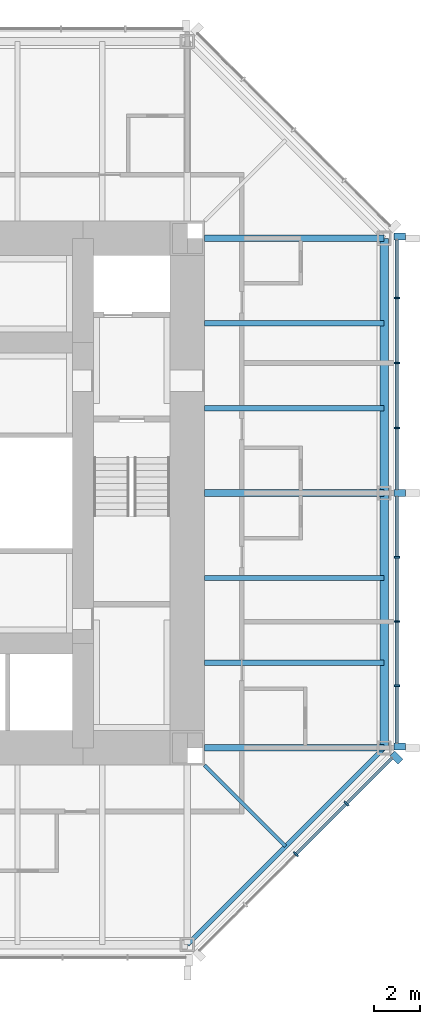
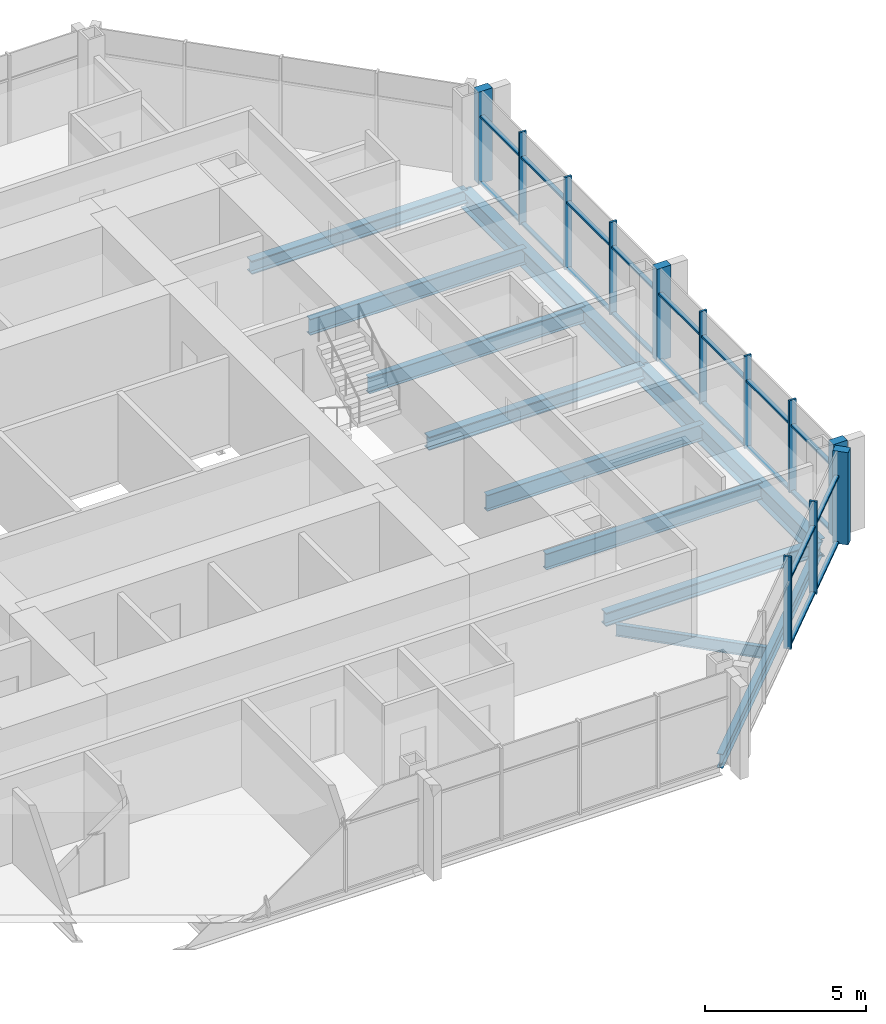
# One storey, part 4 of 11: 32 members, 11 beams, 2 elements without a shape of their own.
"""IFC4 building model written with IfcOpenShell, lengths in metres."""

from ifc_helpers import new_model, si_unit, direction, frame, origin, origin_2d, place, context, subcontext, project, spatial, rectangle, i_section, extrude, material, material_profile, profile_set, type_object, element, aggregate, save


model = new_model("IFC4")

# Units and contexts
model_context = context("Model", 3, precision=1e-05, world=origin(), true_north=direction((0.0, 1.0)))
body_context = subcontext(model_context, "Body", "Model", "MODEL_VIEW")
ifc_project = project(units=[si_unit("LENGTHUNIT", "METRE"), si_unit("AREAUNIT", "SQUARE_METRE"), si_unit("VOLUMEUNIT", "CUBIC_METRE"), si_unit("PLANEANGLEUNIT", "RADIAN"), si_unit("MASSUNIT", "GRAM", prefix="KILO")], contexts=[model_context])

# Site, building, storey
site_placement = place(None, origin())
site = spatial("IfcSite", under=ifc_project, at=site_placement, CompositionType="ELEMENT")
building_placement = place(site_placement, origin())
building = spatial("IfcBuilding", under=site, at=building_placement, Name="Trevanion Tower", CompositionType="ELEMENT")
storey_placement = place(building_placement, frame((0.0, 0.0, 215.199951171875)))
storey = spatial("IfcBuildingStorey", under=building, at=storey_placement, Name="L51", CompositionType="ELEMENT", Elevation=215.199951171875)

# Beams
ifc_material_1 = material(Name="Steel ASTM A992 Grade 50", Category="steel")
ifc_material_profile_1 = material_profile(ifc_material_1, i_section(OverallWidth=0.228271484375, OverallDepth=0.607177734375, WebThickness=0.01123046875, FlangeThickness=0.017333984375, at=origin_2d()), Name="W24X76")
ifc_profile_set_1 = profile_set([ifc_material_profile_1], Name="Steel ASTM A992 Grade 50")
beam_type_1 = type_object("IfcBeamType", Name="B11 W24X76", PredefinedType="BEAM", material=ifc_profile_set_1)
for number, where, z_axis, x_axis, name in (
    (1, (11.75, -7.333251953125, -0.493408203125), (1.0, 0.0, 0.0), (0.0, 1.0, 0.0), "B11 L51"),
    (2, (11.75, -3.666748046875, -0.493408203125), (1.0, 0.0, 0.0), (0.0, 1.0, 0.0), "B11 L51"),
    (3, (11.75, 3.666748046875, -0.493408203125), (1.0, 0.0, 0.0), (0.0, 1.0, 0.0), "B11 L51"),
    (4, (11.75, 7.333251953125, -0.493408203125), (1.0, 0.0, 0.0), (0.0, 1.0, 0.0), "B11 L51"),
):
    element("IfcBeam", number, at=place(storey_placement, frame(where, z_axis=z_axis, x_axis=x_axis)), inside=storey, type_object=beam_type_1, Name=name, PredefinedType="BEAM", context=body_context, shape_type="SweptSolid", body=[
        extrude(i_section(OverallWidth=0.228271484375, OverallDepth=0.607177734375, WebThickness=0.01123046875, FlangeThickness=0.017333984375, at=origin_2d()), origin(), (0.0, 0.0, 1.0), 7.75),
    ])
ifc_material_2 = material(Name="Steel ASTM A992 Grade 50", Category="steel")
ifc_material_profile_2 = material_profile(ifc_material_2, i_section(OverallWidth=0.15234375, OverallDepth=0.449462890625, WebThickness=0.007568359375, FlangeThickness=0.0107421875, at=origin_2d()), Name="W18X35")
ifc_profile_set_2 = profile_set([ifc_material_profile_2], Name="Steel ASTM A992 Grade 50")
beam_type_2 = type_object("IfcBeamType", Name="B12 W18X35", PredefinedType="BEAM", material=ifc_profile_set_2)
beam_1_placement = place(storey_placement, frame((11.75, -11.75, -0.414794921875), z_axis=(0.707106781187, -0.707106781187, 0.0), x_axis=(0.707106781187, 0.707106781187, 0.0)))
element("IfcBeam", 5, at=beam_1_placement, inside=storey, type_object=beam_type_2, Name="B12 L51", PredefinedType="BEAM", context=body_context, shape_type="SweptSolid", body=[
    extrude(i_section(OverallWidth=0.15234375, OverallDepth=0.449462890625, WebThickness=0.007568359375, FlangeThickness=0.0107421875, at=origin_2d()), origin(), (0.0, 0.0, 1.0), 4.94970703125),
])

# Curtain wall, members
ifc_material_3 = material(Name="Aluminium and glass", Category="aluminium")
curtain_wall_type = type_object("IfcCurtainWallType", Name="CW3 curtain wall", PredefinedType="USERDEFINED", material=ifc_material_3)
curtain_wall_1_placement = place(storey_placement, origin())
curtain_wall_1 = element("IfcCurtainWall", 6, at=curtain_wall_1_placement, inside=storey, type_object=curtain_wall_type, Name="CW3 L51 0", ObjectType="UNITISED CURTAIN WALL", PredefinedType="USERDEFINED")
ifc_material_4 = material(Name="Aluminium extrusion, anodised bronze", Category="aluminium")
ifc_material_profile_3 = material_profile(ifc_material_4, rectangle(XDim=0.074951171875, YDim=0.25, at=origin_2d()), Name="CW3 mullion")
ifc_profile_set_3 = profile_set([ifc_material_profile_3], Name="Aluminium extrusion, anodised bronze")
member_type_1 = type_object("IfcMemberType", Name="CW3 mullion", PredefinedType="MULLION", material=ifc_profile_set_3)
member_1_placement = place(storey_placement, frame((20.050048828125, -8.323486328125, -0.18994140625), z_axis=(0.0, 0.0, 1.0), x_axis=(0.0, 1.0, 0.0)))
member_1 = element("IfcMember", 7, at=member_1_placement, type_object=member_type_1, Name="CW3 mullion 2", PredefinedType="MULLION", context=body_context, shape_type="SweptSolid", body=[
    extrude(rectangle(XDim=0.074951171875, YDim=0.25, at=origin_2d()), origin(), (0.0, 0.0, 1.0), 3.5),
])
member_2_placement = place(storey_placement, frame((20.050048828125, -5.548828125, -0.18994140625), z_axis=(0.0, 0.0, 1.0), x_axis=(0.0, 1.0, 0.0)))
member_2 = element("IfcMember", 8, at=member_2_placement, type_object=member_type_1, Name="CW3 mullion 3", PredefinedType="MULLION", context=body_context, shape_type="SweptSolid", body=[
    extrude(rectangle(XDim=0.074951171875, YDim=0.25, at=origin_2d()), origin(), (0.0, 0.0, 1.0), 3.5),
])
member_3_placement = place(storey_placement, frame((20.050048828125, -2.7744140625, -0.18994140625), z_axis=(0.0, 0.0, 1.0), x_axis=(0.0, 1.0, 0.0)))
member_3 = element("IfcMember", 9, at=member_3_placement, type_object=member_type_1, Name="CW3 mullion 4", PredefinedType="MULLION", context=body_context, shape_type="SweptSolid", body=[
    extrude(rectangle(XDim=0.074951171875, YDim=0.25, at=origin_2d()), origin(), (0.0, 0.0, 1.0), 3.5),
])
member_4_placement = place(storey_placement, frame((20.050048828125, 2.806884765625, -0.18994140625), z_axis=(0.0, 0.0, 1.0), x_axis=(0.0, 1.0, 0.0)))
member_4 = element("IfcMember", 10, at=member_4_placement, type_object=member_type_1, Name="CW3 mullion 6", PredefinedType="MULLION", context=body_context, shape_type="SweptSolid", body=[
    extrude(rectangle(XDim=0.074951171875, YDim=0.25, at=origin_2d()), origin(), (0.0, 0.0, 1.0), 3.5),
])
member_5_placement = place(storey_placement, frame((20.050048828125, 5.614013671875, -0.18994140625), z_axis=(0.0, 0.0, 1.0), x_axis=(0.0, 1.0, 0.0)))
member_5 = element("IfcMember", 11, at=member_5_placement, type_object=member_type_1, Name="CW3 mullion 7", PredefinedType="MULLION", context=body_context, shape_type="SweptSolid", body=[
    extrude(rectangle(XDim=0.074951171875, YDim=0.25, at=origin_2d()), origin(), (0.0, 0.0, 1.0), 3.5),
])
member_6_placement = place(storey_placement, frame((20.050048828125, 8.4208984375, -0.18994140625), z_axis=(0.0, 0.0, 1.0), x_axis=(0.0, 1.0, 0.0)))
member_6 = element("IfcMember", 12, at=member_6_placement, type_object=member_type_1, Name="CW3 mullion 8", PredefinedType="MULLION", context=body_context, shape_type="SweptSolid", body=[
    extrude(rectangle(XDim=0.074951171875, YDim=0.25, at=origin_2d()), origin(), (0.0, 0.0, 1.0), 3.5),
])

curtain_wall_2_placement = place(storey_placement, origin())
curtain_wall_2 = element("IfcCurtainWall", 13, at=curtain_wall_2_placement, inside=storey, type_object=curtain_wall_type, Name="CW3 L51 7", ObjectType="UNITISED CURTAIN WALL", PredefinedType="USERDEFINED")
member_7_placement = place(storey_placement, frame((15.684814453125, -15.593017578125, -0.18994140625), z_axis=(0.0, 0.0, 1.0), x_axis=(0.707106781187, 0.707106781187, 0.0)))
member_7 = element("IfcMember", 14, at=member_7_placement, type_object=member_type_1, Name="CW3 mullion 3", PredefinedType="MULLION", context=body_context, shape_type="SweptSolid", body=[
    extrude(rectangle(XDim=0.074951171875, YDim=0.25, at=origin_2d()), origin(), (0.0, 0.0, 1.0), 3.5),
])
member_8_placement = place(storey_placement, frame((17.867431640625, -13.410400390625, -0.18994140625), z_axis=(0.0, 0.0, 1.0), x_axis=(0.707106781187, 0.707106781187, 0.0)))
member_8 = element("IfcMember", 15, at=member_8_placement, type_object=member_type_1, Name="CW3 mullion 4", PredefinedType="MULLION", context=body_context, shape_type="SweptSolid", body=[
    extrude(rectangle(XDim=0.074951171875, YDim=0.25, at=origin_2d()), origin(), (0.0, 0.0, 1.0), 3.5),
])

# Member
ifc_material_5 = material(Name="Aluminium extrusion, anodised bronze", Category="aluminium")
ifc_material_profile_4 = material_profile(ifc_material_5, rectangle(XDim=0.300048828125, YDim=0.5, at=origin_2d()), Name="CW3 pier mullion")
ifc_profile_set_4 = profile_set([ifc_material_profile_4], Name="Aluminium extrusion, anodised bronze")
member_type_2 = type_object("IfcMemberType", Name="CW3 pier mullion", PredefinedType="MULLION", material=ifc_profile_set_4)
member_9_placement = place(storey_placement, frame((20.175048828125, -10.94775390625, -0.18994140625), z_axis=(0.0, 0.0, 1.0), x_axis=(0.0, 1.0, 0.0)))
member_9 = element("IfcMember", 16, at=member_9_placement, type_object=member_type_2, Name="CW3 pier mullion 1", PredefinedType="MULLION", context=body_context, shape_type="SweptSolid", body=[
    extrude(rectangle(XDim=0.300048828125, YDim=0.5, at=origin_2d()), origin(), (0.0, 0.0, 1.0), 3.5),
])

member_10_placement = place(storey_placement, frame((20.175048828125, 0.0, -0.18994140625), z_axis=(0.0, 0.0, 1.0), x_axis=(0.0, 1.0, 0.0)))
member_10 = element("IfcMember", 17, at=member_10_placement, type_object=member_type_2, Name="CW3 pier mullion 5", PredefinedType="MULLION", context=body_context, shape_type="SweptSolid", body=[
    extrude(rectangle(XDim=0.300048828125, YDim=0.5, at=origin_2d()), origin(), (0.0, 0.0, 1.0), 3.5),
])

member_11_placement = place(storey_placement, frame((20.175048828125, 11.077880859375, -0.18994140625), z_axis=(0.0, 0.0, 1.0), x_axis=(0.0, 1.0, 0.0)))
member_11 = element("IfcMember", 18, at=member_11_placement, type_object=member_type_2, Name="CW3 pier mullion 9", PredefinedType="MULLION", context=body_context, shape_type="SweptSolid", body=[
    extrude(rectangle(XDim=0.300048828125, YDim=0.5, at=origin_2d()), origin(), (0.0, 0.0, 1.0), 3.5),
])

member_12_placement = place(storey_placement, frame((20.0322265625, -11.42236328125, -0.18994140625), z_axis=(0.0, 0.0, 1.0), x_axis=(0.707106781187, 0.707106781187, 0.0)))
member_12 = element("IfcMember", 19, at=member_12_placement, type_object=member_type_2, Name="CW3 pier mullion 5", PredefinedType="MULLION", context=body_context, shape_type="SweptSolid", body=[
    extrude(rectangle(XDim=0.300048828125, YDim=0.5, at=origin_2d()), origin(), (0.0, 0.0, 1.0), 3.5),
])

ifc_material_6 = material(Name="Aluminium extrusion, anodised bronze", Category="aluminium")
ifc_material_profile_5 = material_profile(ifc_material_6, rectangle(XDim=0.14990234375, YDim=0.074951171875, at=origin_2d()), Name="CW3 transom")
ifc_profile_set_5 = profile_set([ifc_material_profile_5], Name="Aluminium extrusion, anodised bronze")
member_type_3 = type_object("IfcMemberType", Name="CW3 transom", PredefinedType="USERDEFINED", material=ifc_profile_set_5)
member_13_placement = place(storey_placement, frame((20.050048828125, -10.7978515625, -0.15234375), z_axis=(0.0, 1.0, 0.0), x_axis=(-1.0, 0.0, 0.0)))
member_13 = element("IfcMember", 20, at=member_13_placement, type_object=member_type_3, Name="CW3 transom 1.1", ObjectType="TRANSOM", PredefinedType="USERDEFINED", context=body_context, shape_type="SweptSolid", body=[
    extrude(rectangle(XDim=0.14990234375, YDim=0.074951171875, at=origin_2d()), origin(), (0.0, 0.0, 1.0), 2.43701171875),
])

member_14_placement = place(storey_placement, frame((20.050048828125, -10.7978515625, 2.360107421875), z_axis=(0.0, 1.0, 0.0), x_axis=(-1.0, 0.0, 0.0)))
member_14 = element("IfcMember", 21, at=member_14_placement, type_object=member_type_3, Name="CW3 transom 1.2", ObjectType="TRANSOM", PredefinedType="USERDEFINED", context=body_context, shape_type="SweptSolid", body=[
    extrude(rectangle(XDim=0.14990234375, YDim=0.074951171875, at=origin_2d()), origin(), (0.0, 0.0, 1.0), 2.43701171875),
])

member_15_placement = place(storey_placement, frame((20.050048828125, -8.285888671875, -0.15234375), z_axis=(0.0, 1.0, 0.0), x_axis=(-1.0, 0.0, 0.0)))
member_15 = element("IfcMember", 22, at=member_15_placement, type_object=member_type_3, Name="CW3 transom 2.1", ObjectType="TRANSOM", PredefinedType="USERDEFINED", context=body_context, shape_type="SweptSolid", body=[
    extrude(rectangle(XDim=0.14990234375, YDim=0.074951171875, at=origin_2d()), origin(), (0.0, 0.0, 1.0), 2.699462890625),
])

member_16_placement = place(storey_placement, frame((20.050048828125, -8.285888671875, 2.360107421875), z_axis=(0.0, 1.0, 0.0), x_axis=(-1.0, 0.0, 0.0)))
member_16 = element("IfcMember", 23, at=member_16_placement, type_object=member_type_3, Name="CW3 transom 2.2", ObjectType="TRANSOM", PredefinedType="USERDEFINED", context=body_context, shape_type="SweptSolid", body=[
    extrude(rectangle(XDim=0.14990234375, YDim=0.074951171875, at=origin_2d()), origin(), (0.0, 0.0, 1.0), 2.699462890625),
])

member_17_placement = place(storey_placement, frame((20.050048828125, -5.511474609375, -0.15234375), z_axis=(0.0, 1.0, 0.0), x_axis=(-1.0, 0.0, 0.0)))
member_17 = element("IfcMember", 24, at=member_17_placement, type_object=member_type_3, Name="CW3 transom 3.1", ObjectType="TRANSOM", PredefinedType="USERDEFINED", context=body_context, shape_type="SweptSolid", body=[
    extrude(rectangle(XDim=0.14990234375, YDim=0.074951171875, at=origin_2d()), origin(), (0.0, 0.0, 1.0), 2.699462890625),
])

member_18_placement = place(storey_placement, frame((20.050048828125, -5.511474609375, 2.360107421875), z_axis=(0.0, 1.0, 0.0), x_axis=(-1.0, 0.0, 0.0)))
member_18 = element("IfcMember", 25, at=member_18_placement, type_object=member_type_3, Name="CW3 transom 3.2", ObjectType="TRANSOM", PredefinedType="USERDEFINED", context=body_context, shape_type="SweptSolid", body=[
    extrude(rectangle(XDim=0.14990234375, YDim=0.074951171875, at=origin_2d()), origin(), (0.0, 0.0, 1.0), 2.699462890625),
])

member_19_placement = place(storey_placement, frame((20.050048828125, -2.737060546875, -0.15234375), z_axis=(0.0, 1.0, 0.0), x_axis=(-1.0, 0.0, 0.0)))
member_19 = element("IfcMember", 26, at=member_19_placement, type_object=member_type_3, Name="CW3 transom 4.1", ObjectType="TRANSOM", PredefinedType="USERDEFINED", context=body_context, shape_type="SweptSolid", body=[
    extrude(rectangle(XDim=0.14990234375, YDim=0.074951171875, at=origin_2d()), origin(), (0.0, 0.0, 1.0), 2.587158203125),
])

member_20_placement = place(storey_placement, frame((20.050048828125, -2.737060546875, 2.360107421875), z_axis=(0.0, 1.0, 0.0), x_axis=(-1.0, 0.0, 0.0)))
member_20 = element("IfcMember", 27, at=member_20_placement, type_object=member_type_3, Name="CW3 transom 4.2", ObjectType="TRANSOM", PredefinedType="USERDEFINED", context=body_context, shape_type="SweptSolid", body=[
    extrude(rectangle(XDim=0.14990234375, YDim=0.074951171875, at=origin_2d()), origin(), (0.0, 0.0, 1.0), 2.587158203125),
])

member_21_placement = place(storey_placement, frame((20.050048828125, 0.14990234375, -0.15234375), z_axis=(0.0, 1.0, 0.0), x_axis=(-1.0, 0.0, 0.0)))
member_21 = element("IfcMember", 28, at=member_21_placement, type_object=member_type_3, Name="CW3 transom 5.1", ObjectType="TRANSOM", PredefinedType="USERDEFINED", context=body_context, shape_type="SweptSolid", body=[
    extrude(rectangle(XDim=0.14990234375, YDim=0.074951171875, at=origin_2d()), origin(), (0.0, 0.0, 1.0), 2.619384765625),
])

member_22_placement = place(storey_placement, frame((20.050048828125, 0.14990234375, 2.360107421875), z_axis=(0.0, 1.0, 0.0), x_axis=(-1.0, 0.0, 0.0)))
member_22 = element("IfcMember", 29, at=member_22_placement, type_object=member_type_3, Name="CW3 transom 5.2", ObjectType="TRANSOM", PredefinedType="USERDEFINED", context=body_context, shape_type="SweptSolid", body=[
    extrude(rectangle(XDim=0.14990234375, YDim=0.074951171875, at=origin_2d()), origin(), (0.0, 0.0, 1.0), 2.619384765625),
])

member_23_placement = place(storey_placement, frame((20.050048828125, 2.844482421875, -0.15234375), z_axis=(0.0, 1.0, 0.0), x_axis=(-1.0, 0.0, 0.0)))
member_23 = element("IfcMember", 30, at=member_23_placement, type_object=member_type_3, Name="CW3 transom 6.1", ObjectType="TRANSOM", PredefinedType="USERDEFINED", context=body_context, shape_type="SweptSolid", body=[
    extrude(rectangle(XDim=0.14990234375, YDim=0.074951171875, at=origin_2d()), origin(), (0.0, 0.0, 1.0), 2.73193359375),
])

member_24_placement = place(storey_placement, frame((20.050048828125, 2.844482421875, 2.360107421875), z_axis=(0.0, 1.0, 0.0), x_axis=(-1.0, 0.0, 0.0)))
member_24 = element("IfcMember", 31, at=member_24_placement, type_object=member_type_3, Name="CW3 transom 6.2", ObjectType="TRANSOM", PredefinedType="USERDEFINED", context=body_context, shape_type="SweptSolid", body=[
    extrude(rectangle(XDim=0.14990234375, YDim=0.074951171875, at=origin_2d()), origin(), (0.0, 0.0, 1.0), 2.73193359375),
])

member_25_placement = place(storey_placement, frame((20.050048828125, 5.6513671875, -0.15234375), z_axis=(0.0, 1.0, 0.0), x_axis=(-1.0, 0.0, 0.0)))
member_25 = element("IfcMember", 32, at=member_25_placement, type_object=member_type_3, Name="CW3 transom 7.1", ObjectType="TRANSOM", PredefinedType="USERDEFINED", context=body_context, shape_type="SweptSolid", body=[
    extrude(rectangle(XDim=0.14990234375, YDim=0.074951171875, at=origin_2d()), origin(), (0.0, 0.0, 1.0), 2.73193359375),
])

member_26_placement = place(storey_placement, frame((20.050048828125, 5.6513671875, 2.360107421875), z_axis=(0.0, 1.0, 0.0), x_axis=(-1.0, 0.0, 0.0)))
member_26 = element("IfcMember", 33, at=member_26_placement, type_object=member_type_3, Name="CW3 transom 7.2", ObjectType="TRANSOM", PredefinedType="USERDEFINED", context=body_context, shape_type="SweptSolid", body=[
    extrude(rectangle(XDim=0.14990234375, YDim=0.074951171875, at=origin_2d()), origin(), (0.0, 0.0, 1.0), 2.73193359375),
])

member_27_placement = place(storey_placement, frame((20.050048828125, 8.45849609375, -0.15234375), z_axis=(0.0, 1.0, 0.0), x_axis=(-1.0, 0.0, 0.0)))
member_27 = element("IfcMember", 34, at=member_27_placement, type_object=member_type_3, Name="CW3 transom 8.1", ObjectType="TRANSOM", PredefinedType="USERDEFINED", context=body_context, shape_type="SweptSolid", body=[
    extrude(rectangle(XDim=0.14990234375, YDim=0.074951171875, at=origin_2d()), origin(), (0.0, 0.0, 1.0), 2.46923828125),
])

member_28_placement = place(storey_placement, frame((20.050048828125, 8.45849609375, 2.360107421875), z_axis=(0.0, 1.0, 0.0), x_axis=(-1.0, 0.0, 0.0)))
member_28 = element("IfcMember", 35, at=member_28_placement, type_object=member_type_3, Name="CW3 transom 8.2", ObjectType="TRANSOM", PredefinedType="USERDEFINED", context=body_context, shape_type="SweptSolid", body=[
    extrude(rectangle(XDim=0.14990234375, YDim=0.074951171875, at=origin_2d()), origin(), (0.0, 0.0, 1.0), 2.46923828125),
])

aggregate(curtain_wall_1, [member_9, member_1, member_2, member_3, member_10, member_4, member_5, member_6, member_11, member_13, member_14, member_15, member_16, member_17, member_18, member_19, member_20, member_21, member_22, member_23, member_24, member_25, member_26, member_27, member_28])

member_29_placement = place(storey_placement, frame((15.71142578125, -15.56640625, -0.15234375), z_axis=(0.707106781187, 0.707106781187, 0.0), x_axis=(-0.707106781187, 0.707106781187, 0.0)))
member_29 = element("IfcMember", 36, at=member_29_placement, type_object=member_type_3, Name="CW3 transom 3.1", ObjectType="TRANSOM", PredefinedType="USERDEFINED", context=body_context, shape_type="SweptSolid", body=[
    extrude(rectangle(XDim=0.14990234375, YDim=0.074951171875, at=origin_2d()), origin(), (0.0, 0.0, 1.0), 3.011474609375),
])

member_30_placement = place(storey_placement, frame((15.71142578125, -15.56640625, 2.360107421875), z_axis=(0.707106781187, 0.707106781187, 0.0), x_axis=(-0.707106781187, 0.707106781187, 0.0)))
member_30 = element("IfcMember", 37, at=member_30_placement, type_object=member_type_3, Name="CW3 transom 3.2", ObjectType="TRANSOM", PredefinedType="USERDEFINED", context=body_context, shape_type="SweptSolid", body=[
    extrude(rectangle(XDim=0.14990234375, YDim=0.074951171875, at=origin_2d()), origin(), (0.0, 0.0, 1.0), 3.011474609375),
])

member_31_placement = place(storey_placement, frame((17.89404296875, -13.3837890625, -0.15234375), z_axis=(0.707106781187, 0.707106781187, 0.0), x_axis=(-0.707106781187, 0.707106781187, 0.0)))
member_31 = element("IfcMember", 38, at=member_31_placement, type_object=member_type_3, Name="CW3 transom 4.1", ObjectType="TRANSOM", PredefinedType="USERDEFINED", context=body_context, shape_type="SweptSolid", body=[
    extrude(rectangle(XDim=0.14990234375, YDim=0.074951171875, at=origin_2d()), origin(), (0.0, 0.0, 1.0), 2.7490234375),
])

member_32_placement = place(storey_placement, frame((17.89404296875, -13.3837890625, 2.360107421875), z_axis=(0.707106781187, 0.707106781187, 0.0), x_axis=(-0.707106781187, 0.707106781187, 0.0)))
member_32 = element("IfcMember", 39, at=member_32_placement, type_object=member_type_3, Name="CW3 transom 4.2", ObjectType="TRANSOM", PredefinedType="USERDEFINED", context=body_context, shape_type="SweptSolid", body=[
    extrude(rectangle(XDim=0.14990234375, YDim=0.074951171875, at=origin_2d()), origin(), (0.0, 0.0, 1.0), 2.7490234375),
])

aggregate(curtain_wall_2, [member_7, member_8, member_12, member_29, member_30, member_31, member_32])

# Beams
ifc_material_7 = material(Name="Steel ASTM A992 Grade 50", Category="steel")
ifc_material_profile_6 = material_profile(ifc_material_7, i_section(OverallWidth=0.28955078125, OverallDepth=0.508056640625, WebThickness=0.022705078125, FlangeThickness=0.040283203125, at=origin_2d()), Name="W18X175")
ifc_profile_set_6 = profile_set([ifc_material_profile_6], Name="Steel ASTM A992 Grade 50")
beam_type_3 = type_object("IfcBeamType", Name="G6 W18X175", PredefinedType="BEAM", material=ifc_profile_set_6)
for number, where, z_axis, x_axis, name in (
    (40, (11.75, -11.0, -0.44384765625), (1.0, 0.0, 0.0), (0.0, 1.0, 0.0), "G6 L51"),
    (41, (11.75, 0.0, -0.44384765625), (1.0, 0.0, 0.0), (0.0, 1.0, 0.0), "G6 L51"),
    (42, (11.75, 11.0, -0.44384765625), (1.0, 0.0, 0.0), (0.0, 1.0, 0.0), "G6 L51"),
):
    element("IfcBeam", number, at=place(storey_placement, frame(where, z_axis=z_axis, x_axis=x_axis)), inside=storey, type_object=beam_type_3, Name=name, PredefinedType="BEAM", context=body_context, shape_type="SweptSolid", body=[
        extrude(i_section(OverallWidth=0.28955078125, OverallDepth=0.508056640625, WebThickness=0.022705078125, FlangeThickness=0.040283203125, at=origin_2d()), origin(), (0.0, 0.0, 1.0), 7.75),
    ])
ifc_material_8 = material(Name="Steel ASTM A992 Grade 50", Category="steel")
ifc_material_profile_7 = material_profile(ifc_material_8, i_section(OverallWidth=0.355712890625, OverallDepth=0.696044921875, WebThickness=0.015380859375, FlangeThickness=0.024658203125, at=origin_2d()), Name="W27X146")
ifc_profile_set_7 = profile_set([ifc_material_profile_7], Name="Steel ASTM A992 Grade 50")
beam_type_4 = type_object("IfcBeamType", Name="SB8 W27X146", PredefinedType="SPANDREL", material=ifc_profile_set_7)
for number, where, z_axis, x_axis, name in (
    (43, (19.5, -11.0, -0.537841796875), (0.0, 1.0, 0.0), (-1.0, 0.0, 0.0), "SB8 L51"),
    (44, (19.5, 0.0, -0.537841796875), (0.0, 1.0, 0.0), (-1.0, 0.0, 0.0), "SB8 L51"),
):
    element("IfcBeam", number, at=place(storey_placement, frame(where, z_axis=z_axis, x_axis=x_axis)), inside=storey, type_object=beam_type_4, Name=name, PredefinedType="SPANDREL", context=body_context, shape_type="SweptSolid", body=[
        extrude(i_section(OverallWidth=0.355712890625, OverallDepth=0.696044921875, WebThickness=0.015380859375, FlangeThickness=0.024658203125, at=origin_2d()), origin(), (0.0, 0.0, 1.0), 11.0),
    ])
ifc_material_9 = material(Name="Steel ASTM A992 Grade 50", Category="steel")
ifc_material_profile_8 = material_profile(ifc_material_9, i_section(OverallWidth=0.209228515625, OverallDepth=0.533447265625, WebThickness=0.01025390625, FlangeThickness=0.015625, at=origin_2d()), Name="W21X62")
ifc_profile_set_8 = profile_set([ifc_material_profile_8], Name="Steel ASTM A992 Grade 50")
beam_type_5 = type_object("IfcBeamType", Name="SB9 W21X62", PredefinedType="SPANDREL", material=ifc_profile_set_8)
beam_2_placement = place(storey_placement, frame((11.0, -19.5, -0.45654296875), z_axis=(0.707106781187, 0.707106781187, 0.0), x_axis=(-0.707106781187, 0.707106781187, 0.0)))
element("IfcBeam", 45, at=beam_2_placement, inside=storey, type_object=beam_type_5, Name="SB9 L51", PredefinedType="SPANDREL", context=body_context, shape_type="SweptSolid", body=[
    extrude(i_section(OverallWidth=0.209228515625, OverallDepth=0.533447265625, WebThickness=0.01025390625, FlangeThickness=0.015625, at=origin_2d()), origin(), (0.0, 0.0, 1.0), 12.020751953125),
])

save(model, "model.ifc")
